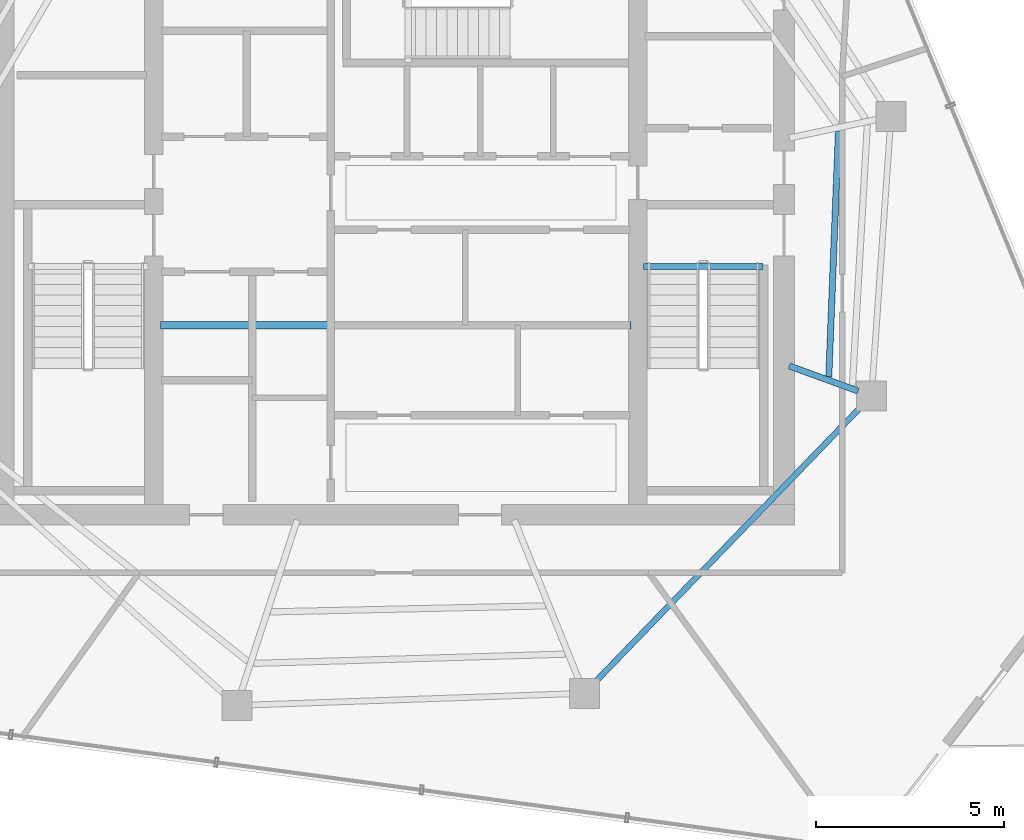
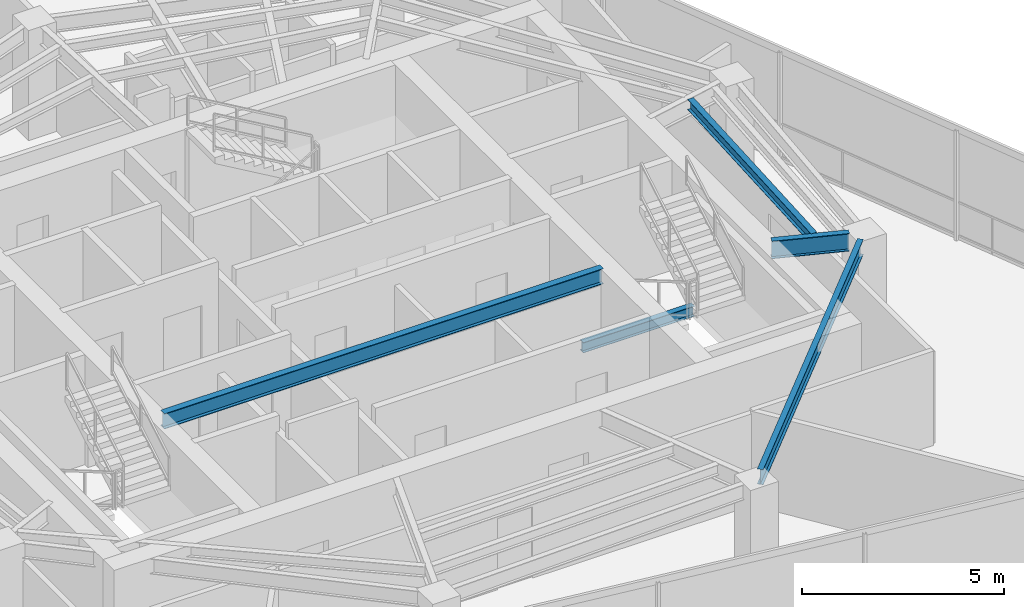
# One storey, part 5 of 19: 5 beams.
"""IFC4 building model written with IfcOpenShell, lengths in metres."""

from ifc_helpers import new_model, si_unit, direction, frame, origin, origin_2d, place, context, subcontext, project, spatial, i_section, extrude, material, material_profile, profile_set, type_object, element, save


model = new_model("IFC4")

# Units and contexts
model_context = context("Model", 3, precision=1e-05, world=origin(), true_north=direction((0.0, 1.0)))
body_context = subcontext(model_context, "Body", "Model", "MODEL_VIEW")
ifc_project = project(units=[si_unit("LENGTHUNIT", "METRE"), si_unit("AREAUNIT", "SQUARE_METRE"), si_unit("VOLUMEUNIT", "CUBIC_METRE"), si_unit("PLANEANGLEUNIT", "RADIAN"), si_unit("MASSUNIT", "GRAM", prefix="KILO")], contexts=[model_context])

# Site, building, storey
site_placement = place(None, origin())
site = spatial("IfcSite", under=ifc_project, at=site_placement, CompositionType="ELEMENT")
building_placement = place(site_placement, origin())
building = spatial("IfcBuilding", under=site, at=building_placement, Name="Qarnah Convention Tower", CompositionType="ELEMENT")
storey_placement = place(building_placement, frame((0.0, 0.0, 264.300048828125)))
storey = spatial("IfcBuildingStorey", under=building, at=storey_placement, Name="L71", CompositionType="ELEMENT", Elevation=264.300048828125)

# Beams
ifc_material = material(Name="Structural steel S355JR", Category="steel")
ifc_material_profile_1 = material_profile(ifc_material, i_section(OverallWidth=0.19189453125, OverallDepth=0.464111328125, WebThickness=0.010986328125, FlangeThickness=0.01806640625, at=origin_2d()), Name="W460X89")
ifc_profile_set_1 = profile_set([ifc_material_profile_1], Name="Structural steel S355JR")
beam_type_1 = type_object("IfcBeamType", Name="BM-CANT-W460A", PredefinedType="BEAM", material=ifc_profile_set_1)
beam_1_placement = place(storey_placement, frame((30.97998046875, 23.64990234375, 3.087890625), z_axis=(1.0, 0.0, 0.0), x_axis=(0.0, 1.0, 0.0)))
element("IfcBeam", 1, at=beam_1_placement, inside=storey, type_object=beam_type_1, Name="L71 beam BM-L71-KC1", PredefinedType="BEAM", context=body_context, shape_type="SweptSolid", body=[
    extrude(i_section(OverallWidth=0.19189453125, OverallDepth=0.464111328125, WebThickness=0.010986328125, FlangeThickness=0.01806640625, at=origin_2d()), origin(), (0.0, 0.0, 1.0), 12.5400390625),
])
ifc_material_profile_2 = material_profile(ifc_material, i_section(OverallWidth=0.166015625, OverallDepth=0.31201171875, WebThickness=0.007080078125, FlangeThickness=0.010986328125, at=origin_2d()), Name="W310X45")
ifc_profile_set_2 = profile_set([ifc_material_profile_2], Name="Structural steel S355JR")
beam_type_2 = type_object("IfcBeamType", Name="BM-JST-W310", PredefinedType="JOIST", material=ifc_profile_set_2)
beam_2_placement = place(storey_placement, frame((43.860107421875, 25.217041015625, -0.156005859375), z_axis=(1.0, 0.0, 0.0), x_axis=(0.0, 1.0, 0.0)))
element("IfcBeam", 2, at=beam_2_placement, inside=storey, type_object=beam_type_2, Name="L71 stair landing trimmer beam BM-L71-ST2-TRM", PredefinedType="BEAM", context=body_context, shape_type="SweptSolid", body=[
    extrude(i_section(OverallWidth=0.166015625, OverallDepth=0.31201171875, WebThickness=0.007080078125, FlangeThickness=0.010986328125, at=origin_2d()), origin(), (0.0, 0.0, 1.0), 3.179931640625),
])
beam_3_placement = place(storey_placement, frame((48.7939453125, 22.27197265625, 3.1640625), z_axis=(0.039318838444, 0.999226715487, 0.0), x_axis=(-0.999226715487, 0.039318838444, 0.0)))
element("IfcBeam", 3, at=beam_3_placement, inside=storey, type_object=beam_type_2, Name="L71 joist BM-L71-IJST-09", PredefinedType="JOIST", context=body_context, shape_type="SweptSolid", body=[
    extrude(i_section(OverallWidth=0.166015625, OverallDepth=0.31201171875, WebThickness=0.007080078125, FlangeThickness=0.010986328125, at=origin_2d()), origin(), (0.0, 0.0, 1.0), 6.563232421875),
])
ifc_material_profile_3 = material_profile(ifc_material, i_section(OverallWidth=0.166015625, OverallDepth=0.535888671875, WebThickness=0.010009765625, FlangeThickness=0.01708984375, at=origin_2d()), Name="W530X85")
ifc_profile_set_3 = profile_set([ifc_material_profile_3], Name="Structural steel S355JR")
beam_type_3 = type_object("IfcBeamType", Name="BM-RAD-W530B", PredefinedType="BEAM", material=ifc_profile_set_3)
beam_4_placement = place(storey_placement, frame((47.740966796875, 22.56396484375, 3.052001953125), z_axis=(0.93967655832, -0.342064271363, 0.0), x_axis=(0.342064271363, 0.93967655832, 0.0)))
element("IfcBeam", 4, at=beam_4_placement, inside=storey, type_object=beam_type_3, Name="L71 beam BM-L71-RAD-09", PredefinedType="BEAM", context=body_context, shape_type="SweptSolid", body=[
    extrude(i_section(OverallWidth=0.166015625, OverallDepth=0.535888671875, WebThickness=0.010009765625, FlangeThickness=0.01708984375, at=origin_2d()), origin(), (0.0, 0.0, 1.0), 1.95263671875),
])
ifc_material_profile_4 = material_profile(ifc_material, i_section(OverallWidth=0.154052734375, OverallDepth=0.4599609375, WebThickness=0.009033203125, FlangeThickness=0.014892578125, at=origin_2d()), Name="W460X68")
ifc_profile_set_4 = profile_set([ifc_material_profile_4], Name="Structural steel S355JR")
beam_type_4 = type_object("IfcBeamType", Name="BM-SPN-W460B", PredefinedType="SPANDREL", material=ifc_profile_set_4)
beam_5_placement = place(storey_placement, frame((42.547119140625, 14.117919921875, 3.08984375), z_axis=(0.694687671008, 0.719311503974, 0.0), x_axis=(-0.719311503974, 0.694687671008, 0.0)))
element("IfcBeam", 5, at=beam_5_placement, inside=storey, type_object=beam_type_4, Name="L71 spandrel BM-L71-SPN-08", PredefinedType="SPANDREL", context=body_context, shape_type="SweptSolid", body=[
    extrude(i_section(OverallWidth=0.154052734375, OverallDepth=0.4599609375, WebThickness=0.009033203125, FlangeThickness=0.014892578125, at=origin_2d()), origin(), (0.0, 0.0, 1.0), 10.241943359375),
])

save(model, "model.ifc")
